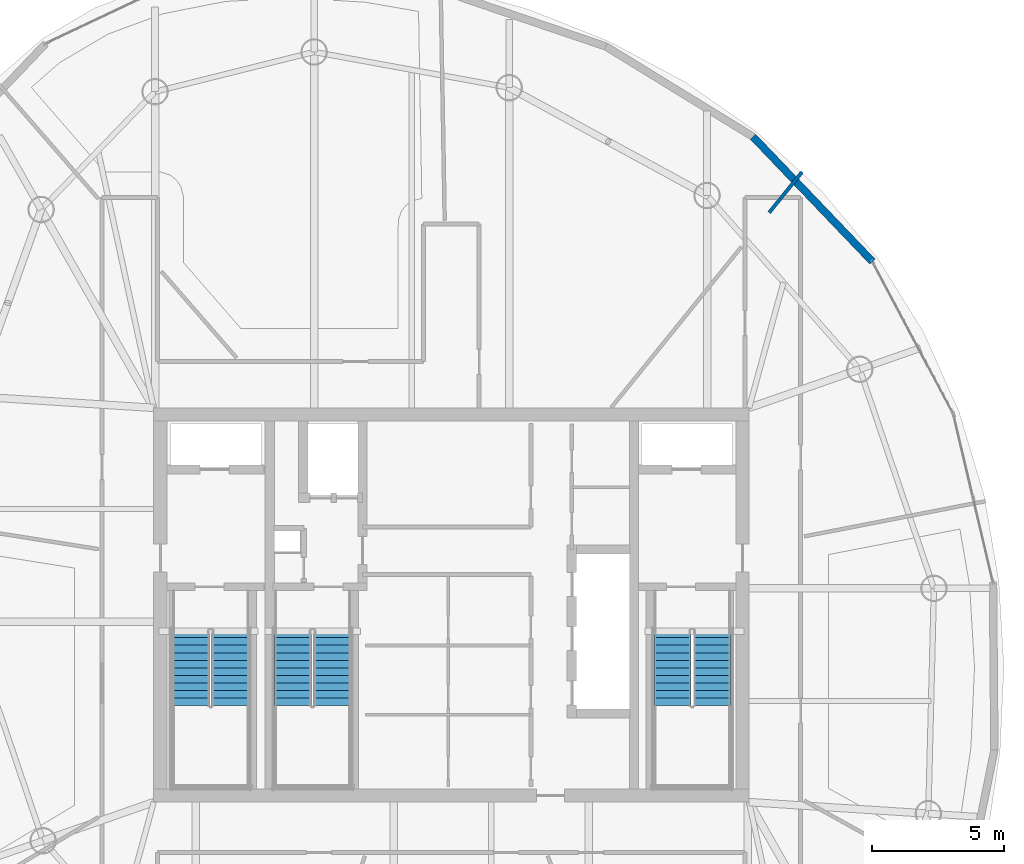
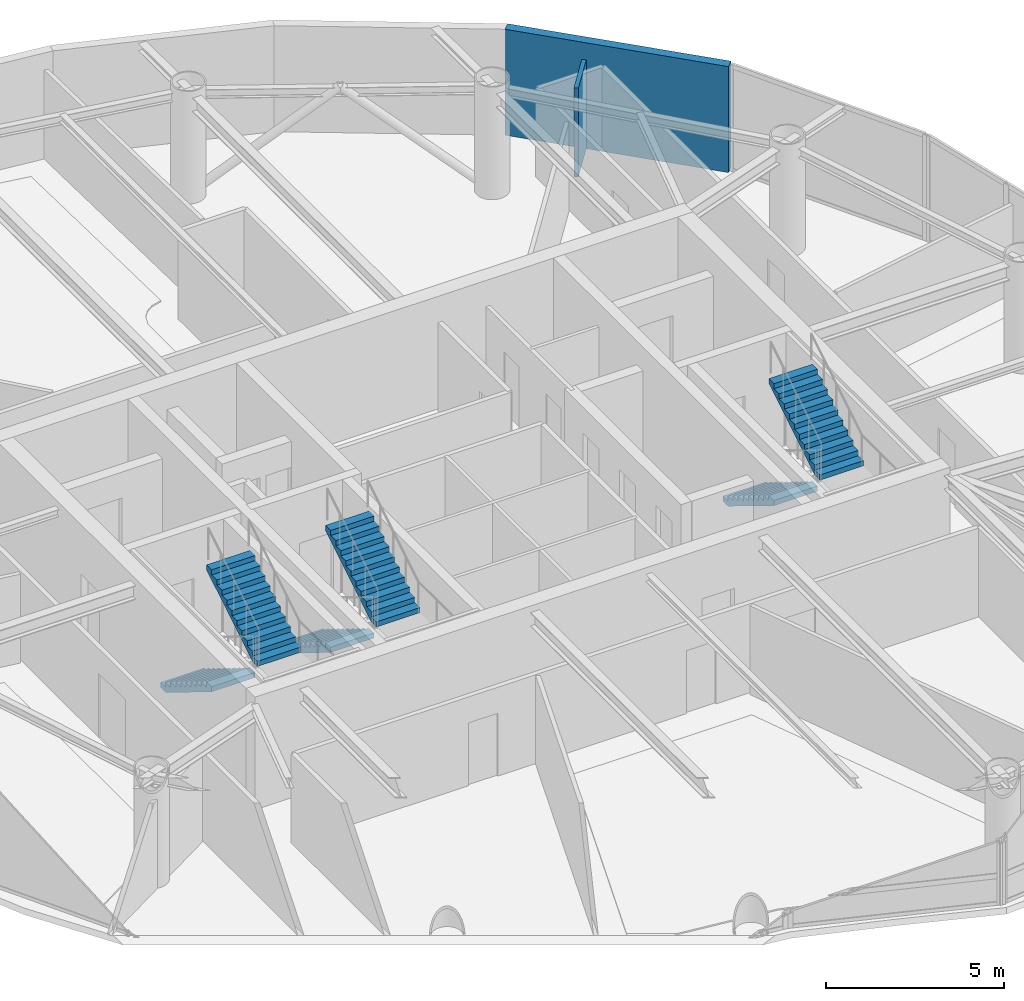
# One storey, part 18 of 21: 6 stair flights, 2 walls, 3 elements without a shape of their own.
"""IFC4 building model written with IfcOpenShell, lengths in metres."""

from ifc_helpers import new_model, si_unit, direction, frame, frame_2d, origin, place, context, subcontext, project, spatial, polyline, rectangle, outline, extrude, material, layer, layer_set, type_object, element, aggregate, save


model = new_model("IFC4")

# Units and contexts
model_context = context("Model", 3, precision=1e-05, world=origin(), true_north=direction((0.0, 1.0)))
body_context = subcontext(model_context, "Body", "Model", "MODEL_VIEW")
ifc_project = project(units=[si_unit("LENGTHUNIT", "METRE"), si_unit("AREAUNIT", "SQUARE_METRE"), si_unit("VOLUMEUNIT", "CUBIC_METRE"), si_unit("PLANEANGLEUNIT", "RADIAN"), si_unit("MASSUNIT", "GRAM", prefix="KILO")], contexts=[model_context])

# Site, building, storey
site_placement = place(None, origin())
site = spatial("IfcSite", under=ifc_project, at=site_placement, CompositionType="ELEMENT")
building_placement = place(site_placement, origin())
building = spatial("IfcBuilding", under=site, at=building_placement, Name="Bramvorn Convention Spire", CompositionType="ELEMENT")
storey_placement = place(building_placement, frame((0.0, 0.0, 249.75)))
storey = spatial("IfcBuildingStorey", under=building, at=storey_placement, Name="L63", CompositionType="ELEMENT", Elevation=249.75)

# Walls
ifc_material_1 = material(Name="Precast Concrete C40/50 with Bronze Terracotta Rainscreen", Category="masonry")
ifc_layer_1 = layer(ifc_material_1, 0.300048828125)
ifc_layer_set_1 = layer_set([ifc_layer_1], Name="Precast Concrete C40/50 with Bronze Terracotta Rainscreen - WL-EXT-BRONZE-300")
wall_type_1 = type_object("IfcWallType", Name="WL-EXT-BRONZE-300", PredefinedType="SOLIDWALL", material=ifc_layer_set_1)
wall_1_placement = place(storey_placement, frame((49.400390625, 43.694091796875, 0.0), z_axis=(0.0, 0.0, 1.0), x_axis=(0.691260013962, -0.722606111998, 0.0)))
element("IfcWall", 1, at=wall_1_placement, inside=storey, type_object=wall_type_1, Name="L63 expressed bronze Gothic lancet pier wall 07", PredefinedType="SOLIDWALL", context=body_context, shape_type="SweptSolid", body=[
    extrude(rectangle(XDim=6.52685546875, YDim=0.280029296875, at=frame_2d((3.263427734375, 0.0))), origin(), (0.0, 0.0, 1.0), 3.625),
])
ifc_material_2 = material(Name="Metal-Stud Demountable Office Partition", Category="gypsum")
ifc_layer_2 = layer(ifc_material_2, 0.1298828125)
ifc_layer_set_2 = layer_set([ifc_layer_2], Name="Metal-Stud Demountable Office Partition - WL-PART-130")
wall_type_2 = type_object("IfcWallType", Name="WL-PART-130", PredefinedType="PARTITIONING", material=ifc_layer_set_2)
wall_2_placement = place(storey_placement, frame((50.010986328125, 40.832275390625, 0.0), z_axis=(0.0, 0.0, 1.0), x_axis=(0.629255162261, 0.777198778157, 0.0)))
element("IfcWall", 2, at=wall_2_placement, inside=storey, type_object=wall_type_2, Name="L63 Tenant suite partition 2", PredefinedType="PARTITIONING", context=body_context, shape_type="SweptSolid", body=[
    extrude(rectangle(XDim=1.9736328125, YDim=0.1298828125, at=frame_2d((0.98681640625, 0.0))), origin(), (0.0, 0.0, 1.0), 3.0400390625),
])

# Stair, stair flights
ifc_material_3 = material(Name="Concrete C40/50 Precast Stair", Category="concrete")
stair_type = type_object("IfcStairType", Name="ST-TOWER-1550", PredefinedType="HALF_TURN_STAIR", material=ifc_material_3)
stair_1_placement = place(storey_placement, origin())
stair_1 = element("IfcStair", 3, at=stair_1_placement, inside=storey, type_object=stair_type, Name="L63 Protected Exit Stair ST1", PredefinedType="HALF_TURN_STAIR")
ifc_material_4 = material(Name="Concrete C40/50 Precast Stair Flight", Category="concrete")
stair_flight_type = type_object("IfcStairFlightType", Name="STF-TOWER-1550", PredefinedType="STRAIGHT", material=ifc_material_4)
stair_flight_1_placement = place(storey_placement, frame((28.155029296875, 25.050048828125, 0.0), z_axis=(0.0, 0.0, 1.0), x_axis=(0.0, -1.0, 0.0)))
stair_flight_1 = element("IfcStairFlight", 4, at=stair_flight_1_placement, type_object=stair_flight_type, Name="ST1 flight 1", NumberOfRisers=11, NumberOfTreads=10, PredefinedType="STRAIGHT", RiserHeight=0.175, TreadLength=0.285, context=body_context, shape_type="SweptSolid", body=[
    extrude(outline(polyline([(0.0, 0.0), (0.0, 0.175048828125), (0.284912109375, 0.175048828125), (0.284912109375, 0.35009765625), (0.570068359375, 0.35009765625), (0.570068359375, 0.52490234375), (0.85498046875, 0.52490234375), (0.85498046875, 0.699951171875), (1.139892578125, 0.699951171875), (1.139892578125, 0.875), (1.425048828125, 0.875), (1.425048828125, 1.050048828125), (1.7099609375, 1.050048828125), (1.7099609375, 1.22509765625), (1.9951171875, 1.22509765625), (1.9951171875, 1.39990234375), (2.280029296875, 1.39990234375), (2.280029296875, 1.574951171875), (2.56494140625, 1.574951171875), (2.56494140625, 1.75), (2.85009765625, 1.75), (2.85009765625, 1.925048828125), (2.85009765625, 1.573974609375), (0.286376953125, 0.0), (0.0, 0.0)])), frame((0.0, 0.705078125, 0.0), z_axis=(0.0, -1.0, 0.0), x_axis=(1.0, 0.0, 0.0)), (0.0, 0.0, 1.0), 1.409912109375),
])
stair_flight_2_placement = place(storey_placement, frame((29.64501953125, 22.199951171875, 1.925048828125), z_axis=(0.0, 0.0, 1.0), x_axis=(0.0, 1.0, 0.0)))
stair_flight_2 = element("IfcStairFlight", 5, at=stair_flight_2_placement, type_object=stair_flight_type, Name="ST1 flight 2", NumberOfRisers=11, NumberOfTreads=10, PredefinedType="STRAIGHT", RiserHeight=0.175, TreadLength=0.285, context=body_context, shape_type="SweptSolid", body=[
    extrude(outline(polyline([(0.0, 0.0), (0.0, 0.175048828125), (0.284912109375, 0.175048828125), (0.284912109375, 0.35009765625), (0.570068359375, 0.35009765625), (0.570068359375, 0.52490234375), (0.85498046875, 0.52490234375), (0.85498046875, 0.699951171875), (1.139892578125, 0.699951171875), (1.139892578125, 0.875), (1.425048828125, 0.875), (1.425048828125, 1.050048828125), (1.7099609375, 1.050048828125), (1.7099609375, 1.22509765625), (1.9951171875, 1.22509765625), (1.9951171875, 1.39990234375), (2.280029296875, 1.39990234375), (2.280029296875, 1.574951171875), (2.56494140625, 1.574951171875), (2.56494140625, 1.75), (2.85009765625, 1.75), (2.85009765625, 1.925048828125), (2.85009765625, 1.573974609375), (0.286376953125, 0.0), (0.0, 0.0)])), frame((0.0, 0.705078125, 0.0), z_axis=(0.0, -1.0, 0.0), x_axis=(1.0, 0.0, 0.0)), (0.0, 0.0, 1.0), 1.409912109375),
])
aggregate(stair_1, [stair_flight_1, stair_flight_2])

stair_2_placement = place(storey_placement, origin())
stair_2 = element("IfcStair", 6, at=stair_2_placement, inside=storey, type_object=stair_type, Name="L63 Protected Exit Stair ST2", PredefinedType="HALF_TURN_STAIR")
stair_flight_3_placement = place(storey_placement, frame((46.35498046875, 25.050048828125, 0.0), z_axis=(0.0, 0.0, 1.0), x_axis=(0.0, -1.0, 0.0)))
stair_flight_3 = element("IfcStairFlight", 7, at=stair_flight_3_placement, type_object=stair_flight_type, Name="ST2 flight 1", NumberOfRisers=11, NumberOfTreads=10, PredefinedType="STRAIGHT", RiserHeight=0.175, TreadLength=0.285, context=body_context, shape_type="SweptSolid", body=[
    extrude(outline(polyline([(0.0, 0.0), (0.0, 0.175048828125), (0.284912109375, 0.175048828125), (0.284912109375, 0.35009765625), (0.570068359375, 0.35009765625), (0.570068359375, 0.52490234375), (0.85498046875, 0.52490234375), (0.85498046875, 0.699951171875), (1.139892578125, 0.699951171875), (1.139892578125, 0.875), (1.425048828125, 0.875), (1.425048828125, 1.050048828125), (1.7099609375, 1.050048828125), (1.7099609375, 1.22509765625), (1.9951171875, 1.22509765625), (1.9951171875, 1.39990234375), (2.280029296875, 1.39990234375), (2.280029296875, 1.574951171875), (2.56494140625, 1.574951171875), (2.56494140625, 1.75), (2.85009765625, 1.75), (2.85009765625, 1.925048828125), (2.85009765625, 1.573974609375), (0.286376953125, 0.0), (0.0, 0.0)])), frame((0.0, 0.705078125, 0.0), z_axis=(0.0, -1.0, 0.0), x_axis=(1.0, 0.0, 0.0)), (0.0, 0.0, 1.0), 1.409912109375),
])
stair_flight_4_placement = place(storey_placement, frame((47.844970703125, 22.199951171875, 1.925048828125), z_axis=(0.0, 0.0, 1.0), x_axis=(0.0, 1.0, 0.0)))
stair_flight_4 = element("IfcStairFlight", 8, at=stair_flight_4_placement, type_object=stair_flight_type, Name="ST2 flight 2", NumberOfRisers=11, NumberOfTreads=10, PredefinedType="STRAIGHT", RiserHeight=0.175, TreadLength=0.285, context=body_context, shape_type="SweptSolid", body=[
    extrude(outline(polyline([(0.0, 0.0), (0.0, 0.175048828125), (0.284912109375, 0.175048828125), (0.284912109375, 0.35009765625), (0.570068359375, 0.35009765625), (0.570068359375, 0.52490234375), (0.85498046875, 0.52490234375), (0.85498046875, 0.699951171875), (1.139892578125, 0.699951171875), (1.139892578125, 0.875), (1.425048828125, 0.875), (1.425048828125, 1.050048828125), (1.7099609375, 1.050048828125), (1.7099609375, 1.22509765625), (1.9951171875, 1.22509765625), (1.9951171875, 1.39990234375), (2.280029296875, 1.39990234375), (2.280029296875, 1.574951171875), (2.56494140625, 1.574951171875), (2.56494140625, 1.75), (2.85009765625, 1.75), (2.85009765625, 1.925048828125), (2.85009765625, 1.573974609375), (0.286376953125, 0.0), (0.0, 0.0)])), frame((0.0, 0.705078125, 0.0), z_axis=(0.0, -1.0, 0.0), x_axis=(1.0, 0.0, 0.0)), (0.0, 0.0, 1.0), 1.409912109375),
])
aggregate(stair_2, [stair_flight_3, stair_flight_4])

stair_3_placement = place(storey_placement, origin())
stair_3 = element("IfcStair", 9, at=stair_3_placement, inside=storey, type_object=stair_type, Name="L63 Protected Exit Stair ST3", PredefinedType="HALF_TURN_STAIR")
stair_flight_5_placement = place(storey_placement, frame((32.0048828125, 25.050048828125, 0.0), z_axis=(0.0, 0.0, 1.0), x_axis=(0.0, -1.0, 0.0)))
stair_flight_5 = element("IfcStairFlight", 10, at=stair_flight_5_placement, type_object=stair_flight_type, Name="ST3 flight 1", NumberOfRisers=11, NumberOfTreads=10, PredefinedType="STRAIGHT", RiserHeight=0.175, TreadLength=0.285, context=body_context, shape_type="SweptSolid", body=[
    extrude(outline(polyline([(0.0, 0.0), (0.0, 0.175048828125), (0.284912109375, 0.175048828125), (0.284912109375, 0.35009765625), (0.570068359375, 0.35009765625), (0.570068359375, 0.52490234375), (0.85498046875, 0.52490234375), (0.85498046875, 0.699951171875), (1.139892578125, 0.699951171875), (1.139892578125, 0.875), (1.425048828125, 0.875), (1.425048828125, 1.050048828125), (1.7099609375, 1.050048828125), (1.7099609375, 1.22509765625), (1.9951171875, 1.22509765625), (1.9951171875, 1.39990234375), (2.280029296875, 1.39990234375), (2.280029296875, 1.574951171875), (2.56494140625, 1.574951171875), (2.56494140625, 1.75), (2.85009765625, 1.75), (2.85009765625, 1.925048828125), (2.85009765625, 1.573974609375), (0.286376953125, 0.0), (0.0, 0.0)])), frame((0.0, 0.705078125, 0.0), z_axis=(0.0, -1.0, 0.0), x_axis=(1.0, 0.0, 0.0)), (0.0, 0.0, 1.0), 1.409912109375),
])
stair_flight_6_placement = place(storey_placement, frame((33.4951171875, 22.199951171875, 1.925048828125), z_axis=(0.0, 0.0, 1.0), x_axis=(0.0, 1.0, 0.0)))
stair_flight_6 = element("IfcStairFlight", 11, at=stair_flight_6_placement, type_object=stair_flight_type, Name="ST3 flight 2", NumberOfRisers=11, NumberOfTreads=10, PredefinedType="STRAIGHT", RiserHeight=0.175, TreadLength=0.285, context=body_context, shape_type="SweptSolid", body=[
    extrude(outline(polyline([(0.0, 0.0), (0.0, 0.175048828125), (0.284912109375, 0.175048828125), (0.284912109375, 0.35009765625), (0.570068359375, 0.35009765625), (0.570068359375, 0.52490234375), (0.85498046875, 0.52490234375), (0.85498046875, 0.699951171875), (1.139892578125, 0.699951171875), (1.139892578125, 0.875), (1.425048828125, 0.875), (1.425048828125, 1.050048828125), (1.7099609375, 1.050048828125), (1.7099609375, 1.22509765625), (1.9951171875, 1.22509765625), (1.9951171875, 1.39990234375), (2.280029296875, 1.39990234375), (2.280029296875, 1.574951171875), (2.56494140625, 1.574951171875), (2.56494140625, 1.75), (2.85009765625, 1.75), (2.85009765625, 1.925048828125), (2.85009765625, 1.573974609375), (0.286376953125, 0.0), (0.0, 0.0)])), frame((0.0, 0.705078125, 0.0), z_axis=(0.0, -1.0, 0.0), x_axis=(1.0, 0.0, 0.0)), (0.0, 0.0, 1.0), 1.409912109375),
])
aggregate(stair_3, [stair_flight_5, stair_flight_6])

save(model, "model.ifc")
